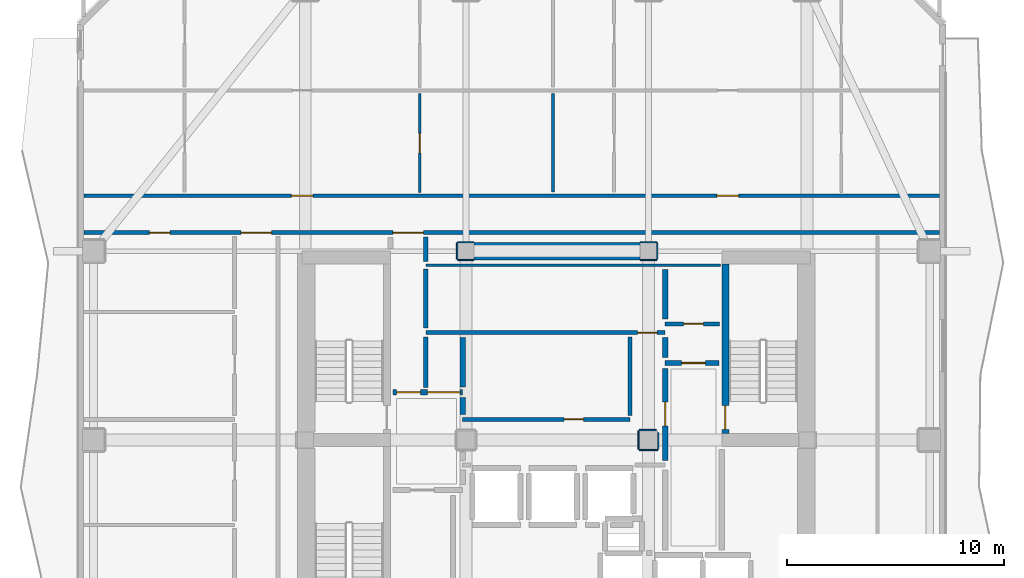
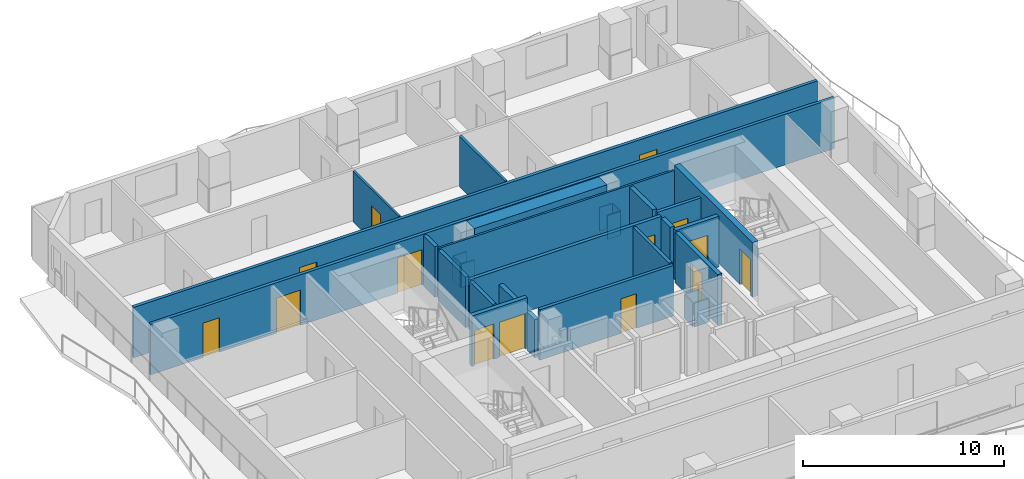
# One storey, part 4 of 10: 31 walls, 14 doors, 14 openings.
"""IFC4 building model written with IfcOpenShell, lengths in metres."""

from ifc_helpers import new_model, si_unit, direction, frame, frame_2d, origin, place, context, subcontext, project, spatial, rectangle, extrude, material, layer, layer_set, type_object, element, fill, save


model = new_model("IFC4")

# Units and contexts
model_context = context("Model", 3, precision=1e-05, world=origin(), true_north=direction((0.0, 1.0)))
body_context = subcontext(model_context, "Body", "Model", "MODEL_VIEW")
ifc_project = project(units=[si_unit("LENGTHUNIT", "METRE"), si_unit("AREAUNIT", "SQUARE_METRE"), si_unit("VOLUMEUNIT", "CUBIC_METRE"), si_unit("PLANEANGLEUNIT", "RADIAN"), si_unit("MASSUNIT", "GRAM", prefix="KILO")], contexts=[model_context])

# Site, building, storey
site_placement = place(None, origin())
site = spatial("IfcSite", under=ifc_project, at=site_placement, CompositionType="ELEMENT")
building_placement = place(site_placement, origin())
building = spatial("IfcBuilding", under=site, at=building_placement, Name="Solanera Arch Residences", CompositionType="ELEMENT")
storey_placement = place(building_placement, frame((0.0, 0.0, 176.8798828125)))
storey = spatial("IfcBuildingStorey", under=building, at=storey_placement, Name="L51", CompositionType="ELEMENT", Elevation=176.8798828125)

# Walls
ifc_material_1 = material(Name="Fire-Rated Gypsum Stud Partition", Category="gypsum")
ifc_layer_1 = layer(ifc_material_1, 0.06005859375)
ifc_layer_set_1 = layer_set([ifc_layer_1], Name="Fire-Rated Gypsum Stud Partition")
wall_type_1 = type_object("IfcWallType", Name="Column Acoustic Furring Wall 60", PredefinedType="PARTITIONING", material=ifc_layer_set_1)
for number, where, z_axis, x_axis, name in (
    (1, (20.425048828125, 38.992919921875, 0.0), (0.0, 0.0, 1.0), (1.0, 0.0, 0.0), "L51 Column Furring 3S"),
    (2, (20.425048828125, 39.806884765625, 0.0), (0.0, 0.0, 1.0), (1.0, 0.0, 0.0), "L51 Column Furring 3N"),
):
    element("IfcWall", number, at=place(storey_placement, frame(where, z_axis=z_axis, x_axis=x_axis)), inside=storey, type_object=wall_type_1, Name=name, PredefinedType="PARTITIONING", context=body_context, shape_type="SweptSolid", body=[
        extrude(rectangle(XDim=0.741943359375, YDim=0.06005859375, at=frame_2d((0.37109375, 0.0))), origin(), (0.0, 0.0, 1.0), 1.4501953125),
    ])
wall_1_placement = place(storey_placement, frame((20.39306640625, 39.02490234375, 0.0), z_axis=(0.0, 0.0, 1.0), x_axis=(0.0, 1.0, 0.0)))
element("IfcWall", 3, at=wall_1_placement, inside=storey, type_object=wall_type_1, Name="L51 Column Furring 3W", PredefinedType="PARTITIONING", context=body_context, shape_type="SweptSolid", body=[
    extrude(rectangle(XDim=0.75, YDim=0.06005859375, at=frame_2d((0.375, 0.0))), origin(), (0.0, 0.0, 1.0), 1.4501953125),
])
for number, where, z_axis, x_axis, name in (
    (4, (28.8330078125, 38.992919921875, 0.0), (0.0, 0.0, 1.0), (1.0, 0.0, 0.0), "L51 Column Furring 4S"),
    (5, (28.8330078125, 39.806884765625, 0.0), (0.0, 0.0, 1.0), (1.0, 0.0, 0.0), "L51 Column Furring 4N"),
):
    element("IfcWall", number, at=place(storey_placement, frame(where, z_axis=z_axis, x_axis=x_axis)), inside=storey, type_object=wall_type_1, Name=name, PredefinedType="PARTITIONING", context=body_context, shape_type="SweptSolid", body=[
        extrude(rectangle(XDim=0.741943359375, YDim=0.06005859375, at=frame_2d((0.37109375, 0.0))), origin(), (0.0, 0.0, 1.0), 1.4501953125),
    ])
wall_2_placement = place(storey_placement, frame((29.60693359375, 39.02490234375, 0.0), z_axis=(0.0, 0.0, 1.0), x_axis=(0.0, 1.0, 0.0)))
element("IfcWall", 6, at=wall_2_placement, inside=storey, type_object=wall_type_1, Name="L51 Column Furring 4E", PredefinedType="PARTITIONING", context=body_context, shape_type="SweptSolid", body=[
    extrude(rectangle(XDim=0.75, YDim=0.06005859375, at=frame_2d((0.375, 0.0))), origin(), (0.0, 0.0, 1.0), 1.4501953125),
])
wall_3_placement = place(storey_placement, frame((28.77490234375, 30.242919921875, 0.0), z_axis=(0.0, 0.0, 1.0), x_axis=(1.0, 0.0, 0.0)))
element("IfcWall", 7, at=wall_3_placement, inside=storey, type_object=wall_type_1, Name="L51 Column Furring 8S", PredefinedType="PARTITIONING", context=body_context, shape_type="SweptSolid", body=[
    extrude(rectangle(XDim=0.85009765625, YDim=0.06005859375, at=frame_2d((0.425048828125, 0.0))), origin(), (0.0, 0.0, 1.0), 1.4501953125),
])
wall_4_placement = place(storey_placement, frame((28.77490234375, 31.156982421875, 0.0), z_axis=(0.0, 0.0, 1.0), x_axis=(1.0, 0.0, 0.0)))
element("IfcWall", 8, at=wall_4_placement, inside=storey, type_object=wall_type_1, Name="L51 Column Furring 8N", PredefinedType="PARTITIONING", context=body_context, shape_type="SweptSolid", body=[
    extrude(rectangle(XDim=0.794189453125, YDim=0.06005859375, at=frame_2d((0.39697265625, 0.0))), origin(), (0.0, 0.0, 1.0), 1.4501953125),
])
wall_5_placement = place(storey_placement, frame((28.742919921875, 30.27490234375, 0.0), z_axis=(0.0, 0.0, 1.0), x_axis=(0.0, 1.0, 0.0)))
element("IfcWall", 9, at=wall_5_placement, inside=storey, type_object=wall_type_1, Name="L51 Column Furring 8W", PredefinedType="PARTITIONING", context=body_context, shape_type="SweptSolid", body=[
    extrude(rectangle(XDim=0.85009765625, YDim=0.06005859375, at=frame_2d((0.425048828125, 0.0))), origin(), (0.0, 0.0, 1.0), 1.4501953125),
])
wall_6_placement = place(storey_placement, frame((29.656982421875, 30.27490234375, 0.0), z_axis=(0.0, 0.0, 1.0), x_axis=(0.0, 1.0, 0.0)))
element("IfcWall", 10, at=wall_6_placement, inside=storey, type_object=wall_type_1, Name="L51 Column Furring 8E", PredefinedType="PARTITIONING", context=body_context, shape_type="SweptSolid", body=[
    extrude(rectangle(XDim=0.757080078125, YDim=0.06005859375, at=frame_2d((0.37841796875, 0.0))), origin(), (0.0, 0.0, 1.0), 1.4501953125),
])

# Wall, opening, door
ifc_material_2 = material(Name="Concrete C40/50 (f'c = 45 MPa)", Category="concrete")
ifc_layer_2 = layer(ifc_material_2, 0.320068359375)
ifc_layer_set_2 = layer_set([ifc_layer_2], Name="Concrete C40/50 (f'c = 45 MPa)")
wall_type_2 = type_object("IfcWallType", Name="Core Shear Wall CW-320", PredefinedType="SHEAR", material=ifc_layer_set_2)
wall_7_placement = place(storey_placement, frame((32.739990234375, 31.0, 0.0), z_axis=(0.0, 0.0, 1.0), x_axis=(0.0, 1.0, 0.0)))
wall_7 = element("IfcWall", 11, at=wall_7_placement, inside=storey, type_object=wall_type_2, Name="L51 Stair ST-T2 West Shear Wall", PredefinedType="SHEAR", context=body_context, shape_type="SweptSolid", body=[
    extrude(rectangle(XDim=7.800048828125, YDim=0.320068359375, at=frame_2d((3.89990234375, 0.0))), origin(), (0.0, 0.0, 1.0), 3.320068359375),
])
opening_1_placement = place(wall_7_placement, frame((0.18994140625, 0.0, 0.0)))
opening_1 = element("IfcOpeningElement", 12, at=opening_1_placement, cuts=wall_7, Name="Opening DF-01", PredefinedType="OPENING", context=body_context, shape_type="SweptSolid", body=[
    extrude(rectangle(XDim=1.10009765625, YDim=2.14990234375, at=frame_2d((0.550048828125, 1.074951171875))), frame((0.0, 0.169921875, 0.0), z_axis=(0.0, -1.0, 0.0), x_axis=(1.0, 0.0, 0.0)), (0.0, 0.0, 1.0), 0.3401),
])
ifc_material_3 = material(Name="Fire-Rated Architectural Hardwood", Category="wood")
door_type_1 = type_object("IfcDoorType", Name="Stair Exit Fire Door DF-01", OperationType="NOTDEFINED", PredefinedType="DOOR", material=ifc_material_3)
door_1_placement = place(opening_1_placement, origin())
door_1 = element("IfcDoor", 13, at=door_1_placement, inside=storey, type_object=door_type_1, Name="DR-L51-STAIR-ST-T2", OperationType="SINGLE_SWING_RIGHT", OverallHeight=2.14990234375, OverallWidth=1.10009765625, PredefinedType="DOOR", context=body_context, shape_type="SweptSolid", body=[
    extrude(rectangle(XDim=1.10009765625, YDim=2.14990234375, at=frame_2d((0.550048828125, 1.074951171875))), frame((0.0, 0.02490234375, 0.0), z_axis=(0.0, -1.0, 0.0), x_axis=(1.0, 0.0, 0.0)), (0.0, 0.0, 1.0), 0.050048828125),
])
fill(opening_1, door_1)

# Wall
ifc_material_4 = material(Name="Concrete C40/50 (f'c = 45 MPa)", Category="concrete")
ifc_layer_3 = layer(ifc_material_4, 0.800048828125)
ifc_layer_set_3 = layer_set([ifc_layer_3], Name="Concrete C40/50 (f'c = 45 MPa)")
wall_type_3 = type_object("IfcWallType", Name="Core Shear Wall CW-800", PredefinedType="SHEAR", material=ifc_layer_set_3)
wall_8_placement = place(storey_placement, frame((21.179931640625, 39.39990234375, 0.0), z_axis=(0.0, 0.0, 1.0), x_axis=(1.0, 0.0, 0.0)))
element("IfcWall", 14, at=wall_8_placement, inside=storey, type_object=wall_type_3, Name="L51 Central North Core Shear Wall", PredefinedType="SHEAR", context=body_context, shape_type="SweptSolid", body=[
    extrude(rectangle(XDim=7.64013671875, YDim=0.800048828125, at=frame_2d((3.820068359375, 0.0))), origin(), (0.0, 0.0, 1.0), 3.320068359375),
])

# Wall, opening, door
ifc_material_5 = material(Name="Autoclaved Aerated Concrete Blockwork", Category="masonry")
ifc_layer_4 = layer(ifc_material_5, 0.179931640625)
ifc_layer_set_4 = layer_set([ifc_layer_4], Name="Autoclaved Aerated Concrete Blockwork")
wall_type_4 = type_object("IfcWallType", Name="Corridor Fire Partition 180", PredefinedType="PARTITIONING", material=ifc_layer_set_4)
wall_9_placement = place(storey_placement, frame((20.64990234375, 31.64990234375, 0.0), z_axis=(0.0, 0.0, 1.0), x_axis=(1.0, 0.0, 0.0)))
wall_9 = element("IfcWall", 15, at=wall_9_placement, inside=storey, type_object=wall_type_4, Name="L51 Interior Partition H11", PredefinedType="PARTITIONING", context=body_context, shape_type="SweptSolid", body=[
    extrude(rectangle(XDim=7.7001953125, YDim=0.179931640625, at=frame_2d((3.85009765625, 0.0))), origin(), (0.0, 0.0, 1.0), 3.080078125),
])
opening_2_placement = place(wall_9_placement, frame((4.673095703125, 0.0, 0.0)))
opening_2 = element("IfcOpeningElement", 16, at=opening_2_placement, cuts=wall_9, Name="Opening DI-02", PredefinedType="OPENING", context=body_context, shape_type="SweptSolid", body=[
    extrude(rectangle(XDim=0.89990234375, YDim=2.10009765625, at=frame_2d((0.449951171875, 1.050048828125))), frame((0.0, 0.10009765625, 0.0), z_axis=(0.0, -1.0, 0.0), x_axis=(1.0, 0.0, 0.0)), (0.0, 0.0, 1.0), 0.1999),
])
ifc_material_6 = material(Name="Fire-Rated Architectural Hardwood", Category="wood")
door_type_2 = type_object("IfcDoorType", Name="Suite Room Swing Door DI-02", OperationType="NOTDEFINED", PredefinedType="DOOR", material=ifc_material_6)
door_2_placement = place(opening_2_placement, origin())
door_2 = element("IfcDoor", 17, at=door_2_placement, inside=storey, type_object=door_type_2, Name="DR-L51-IN-016", OperationType="SINGLE_SWING_RIGHT", OverallHeight=2.10009765625, OverallWidth=0.89990234375, PredefinedType="DOOR", context=body_context, shape_type="SweptSolid", body=[
    extrude(rectangle(XDim=0.89990234375, YDim=2.10009765625, at=frame_2d((0.449951171875, 1.050048828125))), frame((0.0, 0.02490234375, 0.0), z_axis=(0.0, -1.0, 0.0), x_axis=(1.0, 0.0, 0.0)), (0.0, 0.0, 1.0), 0.050048828125),
])
fill(opening_2, door_2)

wall_10_placement = place(storey_placement, frame((29.97509765625, 36.050048828125, 0.0), z_axis=(0.0, 0.0, 1.0), x_axis=(1.0, 0.0, 0.0)))
wall_10 = element("IfcWall", 18, at=wall_10_placement, inside=storey, type_object=wall_type_4, Name="L51 Interior Partition H12", PredefinedType="PARTITIONING", context=body_context, shape_type="SweptSolid", body=[
    extrude(rectangle(XDim=2.5048828125, YDim=0.179931640625, at=frame_2d((1.25244140625, 0.0))), origin(), (0.0, 0.0, 1.0), 3.080078125),
])
opening_3_placement = place(wall_10_placement, frame((0.85205078125, 0.0, 0.0)))
opening_3 = element("IfcOpeningElement", 19, at=opening_3_placement, cuts=wall_10, Name="Opening DI-02", PredefinedType="OPENING", context=body_context, shape_type="SweptSolid", body=[
    extrude(rectangle(XDim=0.89990234375, YDim=2.10009765625, at=frame_2d((0.449951171875, 1.050048828125))), frame((0.0, 0.10009765625, 0.0), z_axis=(0.0, -1.0, 0.0), x_axis=(1.0, 0.0, 0.0)), (0.0, 0.0, 1.0), 0.1999),
])
door_3_placement = place(opening_3_placement, origin())
door_3 = element("IfcDoor", 20, at=door_3_placement, inside=storey, type_object=door_type_2, Name="DR-L51-IN-014", OperationType="SINGLE_SWING_RIGHT", OverallHeight=2.10009765625, OverallWidth=0.89990234375, PredefinedType="DOOR", context=body_context, shape_type="SweptSolid", body=[
    extrude(rectangle(XDim=0.89990234375, YDim=2.10009765625, at=frame_2d((0.449951171875, 1.050048828125))), frame((0.0, 0.02490234375, 0.0), z_axis=(0.0, -1.0, 0.0), x_axis=(1.0, 0.0, 0.0)), (0.0, 0.0, 1.0), 0.050048828125),
])
fill(opening_3, door_3)

# Wall, openings, doors
wall_11_placement = place(storey_placement, frame((3.20703125, 40.25, 0.0), z_axis=(0.0, 0.0, 1.0), x_axis=(1.0, 0.0, 0.0)))
wall_11 = element("IfcWall", 21, at=wall_11_placement, inside=storey, type_object=wall_type_4, Name="L51 Interior Partition H13", PredefinedType="PARTITIONING", context=body_context, shape_type="SweptSolid", body=[
    extrude(rectangle(XDim=39.385986328125, YDim=0.179931640625, at=frame_2d((19.69287109375, 0.0))), origin(), (0.0, 0.0, 1.0), 3.080078125),
])
opening_4_placement = place(wall_11_placement, frame((14.22802734375, 0.0, 0.0)))
opening_4 = element("IfcOpeningElement", 22, at=opening_4_placement, cuts=wall_11, Name="Opening DF-03", PredefinedType="OPENING", context=body_context, shape_type="SweptSolid", body=[
    extrude(rectangle(XDim=1.39990234375, YDim=2.14990234375, at=frame_2d((0.699951171875, 1.074951171875))), frame((0.0, 0.10009765625, 0.0), z_axis=(0.0, -1.0, 0.0), x_axis=(1.0, 0.0, 0.0)), (0.0, 0.0, 1.0), 0.1999),
])
opening_5_placement = place(wall_11_placement, frame((7.242919921875, 0.0, 0.0)))
opening_5 = element("IfcOpeningElement", 23, at=opening_5_placement, cuts=wall_11, Name="Opening DF-03", PredefinedType="OPENING", context=body_context, shape_type="SweptSolid", body=[
    extrude(rectangle(XDim=1.39990234375, YDim=2.14990234375, at=frame_2d((0.699951171875, 1.074951171875))), frame((0.0, 0.10009765625, 0.0), z_axis=(0.0, -1.0, 0.0), x_axis=(1.0, 0.0, 0.0)), (0.0, 0.0, 1.0), 0.1999),
])
opening_6_placement = place(wall_11_placement, frame((3.01708984375, 0.0, 0.0)))
opening_6 = element("IfcOpeningElement", 24, at=opening_6_placement, cuts=wall_11, Name="Opening DI-04", PredefinedType="OPENING", context=body_context, shape_type="SweptSolid", body=[
    extrude(rectangle(XDim=0.949951171875, YDim=2.10009765625, at=frame_2d((0.47509765625, 1.050048828125))), frame((0.0, 0.10009765625, 0.0), z_axis=(0.0, -1.0, 0.0), x_axis=(1.0, 0.0, 0.0)), (0.0, 0.0, 1.0), 0.1999),
])
ifc_material_7 = material(Name="Fire-Rated Architectural Hardwood", Category="wood")
door_type_3 = type_object("IfcDoorType", Name="Accessible Restroom Door DI-04", OperationType="NOTDEFINED", PredefinedType="DOOR", material=ifc_material_7)
door_4_placement = place(opening_6_placement, origin())
door_4 = element("IfcDoor", 25, at=door_4_placement, inside=storey, type_object=door_type_3, Name="DR-L51-IN-021", OperationType="SINGLE_SWING_LEFT", OverallHeight=2.10009765625, OverallWidth=0.949951171875, PredefinedType="DOOR", context=body_context, shape_type="SweptSolid", body=[
    extrude(rectangle(XDim=0.949951171875, YDim=2.10009765625, at=frame_2d((0.47509765625, 1.050048828125))), frame((0.0, 0.02490234375, 0.0), z_axis=(0.0, -1.0, 0.0), x_axis=(1.0, 0.0, 0.0)), (0.0, 0.0, 1.0), 0.050048828125),
])
fill(opening_6, door_4)
ifc_material_8 = material(Name="Fire-Rated Architectural Hardwood", Category="wood")
door_type_4 = type_object("IfcDoorType", Name="Corridor Smoke Door DF-03", OperationType="NOTDEFINED", PredefinedType="DOOR", material=ifc_material_8)
door_5_placement = place(opening_4_placement, origin())
door_5 = element("IfcDoor", 26, at=door_5_placement, inside=storey, type_object=door_type_4, Name="DR-L51-IN-009", OperationType="SINGLE_SWING_LEFT", OverallHeight=2.14990234375, OverallWidth=1.39990234375, PredefinedType="DOOR", context=body_context, shape_type="SweptSolid", body=[
    extrude(rectangle(XDim=1.39990234375, YDim=2.14990234375, at=frame_2d((0.699951171875, 1.074951171875))), frame((0.0, 0.02490234375, 0.0), z_axis=(0.0, -1.0, 0.0), x_axis=(1.0, 0.0, 0.0)), (0.0, 0.0, 1.0), 0.050048828125),
])
fill(opening_4, door_5)
door_6_placement = place(opening_5_placement, origin())
door_6 = element("IfcDoor", 27, at=door_6_placement, inside=storey, type_object=door_type_4, Name="DR-L51-IN-012", OperationType="SINGLE_SWING_RIGHT", OverallHeight=2.14990234375, OverallWidth=1.39990234375, PredefinedType="DOOR", context=body_context, shape_type="SweptSolid", body=[
    extrude(rectangle(XDim=1.39990234375, YDim=2.14990234375, at=frame_2d((0.699951171875, 1.074951171875))), frame((0.0, 0.02490234375, 0.0), z_axis=(0.0, -1.0, 0.0), x_axis=(1.0, 0.0, 0.0)), (0.0, 0.0, 1.0), 0.050048828125),
])
fill(opening_5, door_6)

wall_12_placement = place(storey_placement, frame((3.20703125, 41.949951171875, 0.0), z_axis=(0.0, 0.0, 1.0), x_axis=(1.0, 0.0, 0.0)))
wall_12 = element("IfcWall", 28, at=wall_12_placement, inside=storey, type_object=wall_type_4, Name="L51 Interior Partition H14", PredefinedType="PARTITIONING", context=body_context, shape_type="SweptSolid", body=[
    extrude(rectangle(XDim=39.385986328125, YDim=0.179931640625, at=frame_2d((19.69287109375, 0.0))), origin(), (0.0, 0.0, 1.0), 3.080078125),
])
opening_7_placement = place(wall_12_placement, frame((9.550048828125, 0.0, 0.0)))
opening_7 = element("IfcOpeningElement", 29, at=opening_7_placement, cuts=wall_12, Name="Opening DI-01", PredefinedType="OPENING", context=body_context, shape_type="SweptSolid", body=[
    extrude(rectangle(XDim=1.0, YDim=2.14990234375, at=frame_2d((0.5, 1.074951171875))), frame((0.0, 0.10009765625, 0.0), z_axis=(0.0, -1.0, 0.0), x_axis=(1.0, 0.0, 0.0)), (0.0, 0.0, 1.0), 0.1999),
])
opening_8_placement = place(wall_12_placement, frame((29.14306640625, 0.0, 0.0)))
opening_8 = element("IfcOpeningElement", 30, at=opening_8_placement, cuts=wall_12, Name="Opening DI-01", PredefinedType="OPENING", context=body_context, shape_type="SweptSolid", body=[
    extrude(rectangle(XDim=1.0, YDim=2.14990234375, at=frame_2d((0.5, 1.074951171875))), frame((0.0, 0.10009765625, 0.0), z_axis=(0.0, -1.0, 0.0), x_axis=(1.0, 0.0, 0.0)), (0.0, 0.0, 1.0), 0.1999),
])
ifc_material_9 = material(Name="Fire-Rated Architectural Hardwood", Category="wood")
door_type_5 = type_object("IfcDoorType", Name="Unit Entrance Fire Door DI-01", OperationType="NOTDEFINED", PredefinedType="DOOR", material=ifc_material_9)
door_7_placement = place(opening_7_placement, origin())
door_7 = element("IfcDoor", 31, at=door_7_placement, inside=storey, type_object=door_type_5, Name="DR-L51-IN-023", OperationType="SINGLE_SWING_LEFT", OverallHeight=2.14990234375, OverallWidth=1.0, PredefinedType="DOOR", context=body_context, shape_type="SweptSolid", body=[
    extrude(rectangle(XDim=1.0, YDim=2.14990234375, at=frame_2d((0.5, 1.074951171875))), frame((0.0, 0.02490234375, 0.0), z_axis=(0.0, -1.0, 0.0), x_axis=(1.0, 0.0, 0.0)), (0.0, 0.0, 1.0), 0.050048828125),
])
fill(opening_7, door_7)
door_8_placement = place(opening_8_placement, origin())
door_8 = element("IfcDoor", 32, at=door_8_placement, inside=storey, type_object=door_type_5, Name="DR-L51-IN-029", OperationType="SINGLE_SWING_LEFT", OverallHeight=2.14990234375, OverallWidth=1.0, PredefinedType="DOOR", context=body_context, shape_type="SweptSolid", body=[
    extrude(rectangle(XDim=1.0, YDim=2.14990234375, at=frame_2d((0.5, 1.074951171875))), frame((0.0, 0.02490234375, 0.0), z_axis=(0.0, -1.0, 0.0), x_axis=(1.0, 0.0, 0.0)), (0.0, 0.0, 1.0), 0.050048828125),
])
fill(opening_8, door_8)

# Wall
wall_13_placement = place(storey_placement, frame((28.35009765625, 31.837890625, 0.0), z_axis=(0.0, 0.0, 1.0), x_axis=(0.0, 1.0, 0.0)))
element("IfcWall", 33, at=wall_13_placement, inside=storey, type_object=wall_type_4, Name="L51 Interior Partition V11", PredefinedType="PARTITIONING", context=body_context, shape_type="SweptSolid", body=[
    extrude(rectangle(XDim=3.614013671875, YDim=0.179931640625, at=frame_2d((1.80712890625, 0.0))), origin(), (0.0, 0.0, 1.0), 3.080078125),
])

# Wall, opening, door
ifc_material_10 = material(Name="Autoclaved Aerated Concrete Blockwork", Category="masonry")
ifc_layer_5 = layer(ifc_material_10, 0.199951171875)
ifc_layer_set_5 = layer_set([ifc_layer_5], Name="Autoclaved Aerated Concrete Blockwork")
wall_type_5 = type_object("IfcWallType", Name="Party Wall Acoustic 200", PredefinedType="PARTITIONING", material=ifc_layer_set_5)
wall_14_placement = place(storey_placement, frame((18.949951171875, 35.64990234375, 0.0), z_axis=(0.0, 0.0, 1.0), x_axis=(1.0, 0.0, 0.0)))
wall_14 = element("IfcWall", 34, at=wall_14_placement, inside=storey, type_object=wall_type_5, Name="L51 Interior Partition H6", PredefinedType="PARTITIONING", context=body_context, shape_type="SweptSolid", body=[
    extrude(rectangle(XDim=11.025146484375, YDim=0.199951171875, at=frame_2d((5.5126953125, 0.0))), origin(), (0.0, 0.0, 1.0), 3.080078125),
])
opening_9_placement = place(wall_14_placement, frame((9.7490234375, 0.0, 0.0)))
opening_9 = element("IfcOpeningElement", 35, at=opening_9_placement, cuts=wall_14, Name="Opening DI-02", PredefinedType="OPENING", context=body_context, shape_type="SweptSolid", body=[
    extrude(rectangle(XDim=0.89990234375, YDim=2.10009765625, at=frame_2d((0.449951171875, 1.050048828125))), frame((0.0, 0.110107421875, 0.0), z_axis=(0.0, -1.0, 0.0), x_axis=(1.0, 0.0, 0.0)), (0.0, 0.0, 1.0), 0.22),
])
door_9_placement = place(opening_9_placement, origin())
door_9 = element("IfcDoor", 36, at=door_9_placement, inside=storey, type_object=door_type_2, Name="DR-L51-IN-015", OperationType="SINGLE_SWING_LEFT", OverallHeight=2.10009765625, OverallWidth=0.89990234375, PredefinedType="DOOR", context=body_context, shape_type="SweptSolid", body=[
    extrude(rectangle(XDim=0.89990234375, YDim=2.10009765625, at=frame_2d((0.449951171875, 1.050048828125))), frame((0.0, 0.02490234375, 0.0), z_axis=(0.0, -1.0, 0.0), x_axis=(1.0, 0.0, 0.0)), (0.0, 0.0, 1.0), 0.050048828125),
])
fill(opening_9, door_9)

# Walls
wall_15_placement = place(storey_placement, frame((18.949951171875, 33.1279296875, 0.0), z_axis=(0.0, 0.0, 1.0), x_axis=(0.0, 1.0, 0.0)))
element("IfcWall", 37, at=wall_15_placement, inside=storey, type_object=wall_type_5, Name="L51 Interior Partition V6 1", PredefinedType="PARTITIONING", context=body_context, shape_type="SweptSolid", body=[
    extrude(rectangle(XDim=2.31396484375, YDim=0.199951171875, at=frame_2d((1.156982421875, 0.0))), origin(), (0.0, 0.0, 1.0), 3.080078125),
])
wall_16_placement = place(storey_placement, frame((18.949951171875, 35.85791015625, 0.0), z_axis=(0.0, 0.0, 1.0), x_axis=(0.0, 1.0, 0.0)))
element("IfcWall", 38, at=wall_16_placement, inside=storey, type_object=wall_type_5, Name="L51 Interior Partition V6 2", PredefinedType="PARTITIONING", context=body_context, shape_type="SweptSolid", body=[
    extrude(rectangle(XDim=2.72412109375, YDim=0.199951171875, at=frame_2d((1.362060546875, 0.0))), origin(), (0.0, 0.0, 1.0), 3.080078125),
])
wall_17_placement = place(storey_placement, frame((18.949951171875, 38.91796875, 0.0), z_axis=(0.0, 0.0, 1.0), x_axis=(0.0, 1.0, 0.0)))
element("IfcWall", 39, at=wall_17_placement, inside=storey, type_object=wall_type_5, Name="L51 Interior Partition V6 3", PredefinedType="PARTITIONING", context=body_context, shape_type="SweptSolid", body=[
    extrude(rectangle(XDim=1.134033203125, YDim=0.199951171875, at=frame_2d((0.56689453125, 0.0))), origin(), (0.0, 0.0, 1.0), 3.080078125),
])

# Wall, openings, doors
ifc_material_11 = material(Name="Autoclaved Aerated Concrete Blockwork", Category="masonry")
ifc_layer_6 = layer(ifc_material_11, 0.239990234375)
ifc_layer_set_6 = layer_set([ifc_layer_6], Name="Autoclaved Aerated Concrete Blockwork")
wall_type_6 = type_object("IfcWallType", Name="Shaft Wall Fire-Rated 240", PredefinedType="PARTITIONING", material=ifc_layer_set_6)
wall_18_placement = place(storey_placement, frame((17.449951171875, 32.89990234375, 0.0), z_axis=(0.0, 0.0, 1.0), x_axis=(1.0, 0.0, 0.0)))
wall_18 = element("IfcWall", 40, at=wall_18_placement, inside=storey, type_object=wall_type_6, Name="L51 Interior Partition H4", PredefinedType="PARTITIONING", context=body_context, shape_type="SweptSolid", body=[
    extrude(rectangle(XDim=3.199951171875, YDim=0.239990234375, at=frame_2d((1.60009765625, 0.0))), origin(), (0.0, 0.0, 1.0), 3.080078125),
])
opening_10_placement = place(wall_18_placement, frame((0.158935546875, 0.0, 0.0)))
opening_10 = element("IfcOpeningElement", 41, at=opening_10_placement, cuts=wall_18, Name="Opening DF-02", PredefinedType="OPENING", context=body_context, shape_type="SweptSolid", body=[
    extrude(rectangle(XDim=1.10009765625, YDim=2.14990234375, at=frame_2d((0.550048828125, 1.074951171875))), frame((0.0, 0.1298828125, 0.0), z_axis=(0.0, -1.0, 0.0), x_axis=(1.0, 0.0, 0.0)), (0.0, 0.0, 1.0), 0.26),
])
opening_11_placement = place(wall_18_placement, frame((1.575927734375, 0.0, 0.0)))
opening_11 = element("IfcOpeningElement", 42, at=opening_11_placement, cuts=wall_18, Name="Opening DP-01", PredefinedType="OPENING", context=body_context, shape_type="SweptSolid", body=[
    extrude(rectangle(XDim=1.5, YDim=2.14990234375, at=frame_2d((0.75, 1.074951171875))), frame((0.0, 0.1298828125, 0.0), z_axis=(0.0, -1.0, 0.0), x_axis=(1.0, 0.0, 0.0)), (0.0, 0.0, 1.0), 0.26),
])
ifc_material_12 = material(Name="Fire-Rated Architectural Hardwood", Category="wood")
door_type_6 = type_object("IfcDoorType", Name="Firefighting Lobby Fire Door DF-02", OperationType="NOTDEFINED", PredefinedType="DOOR", material=ifc_material_12)
door_10_placement = place(opening_10_placement, origin())
door_10 = element("IfcDoor", 43, at=door_10_placement, inside=storey, type_object=door_type_6, Name="DR-L51-IN-005", OperationType="SINGLE_SWING_LEFT", OverallHeight=2.14990234375, OverallWidth=1.10009765625, PredefinedType="DOOR", context=body_context, shape_type="SweptSolid", body=[
    extrude(rectangle(XDim=1.10009765625, YDim=2.14990234375, at=frame_2d((0.550048828125, 1.074951171875))), frame((0.0, 0.02490234375, 0.0), z_axis=(0.0, -1.0, 0.0), x_axis=(1.0, 0.0, 0.0)), (0.0, 0.0, 1.0), 0.050048828125),
])
fill(opening_10, door_10)
ifc_material_13 = material(Name="Fire-Rated Architectural Hardwood", Category="wood")
door_type_7 = type_object("IfcDoorType", Name="Plant Double Fire Door DP-01", OperationType="NOTDEFINED", PredefinedType="DOOR", material=ifc_material_13)
door_11_placement = place(opening_11_placement, origin())
door_11 = element("IfcDoor", 44, at=door_11_placement, inside=storey, type_object=door_type_7, Name="DR-L51-IN-013", OperationType="SINGLE_SWING_LEFT", OverallHeight=2.14990234375, OverallWidth=1.5, PredefinedType="DOOR", context=body_context, shape_type="SweptSolid", body=[
    extrude(rectangle(XDim=1.5, YDim=2.14990234375, at=frame_2d((0.75, 1.074951171875))), frame((0.0, 0.02490234375, 0.0), z_axis=(0.0, -1.0, 0.0), x_axis=(1.0, 0.0, 0.0)), (0.0, 0.0, 1.0), 0.050048828125),
])
fill(opening_11, door_11)

# Wall, opening, door
wall_19_placement = place(storey_placement, frame((29.97509765625, 34.25, 0.0), z_axis=(0.0, 0.0, 1.0), x_axis=(1.0, 0.0, 0.0)))
wall_19 = element("IfcWall", 45, at=wall_19_placement, inside=storey, type_object=wall_type_6, Name="L51 Interior Partition H5", PredefinedType="PARTITIONING", context=body_context, shape_type="SweptSolid", body=[
    extrude(rectangle(XDim=2.474853515625, YDim=0.239990234375, at=frame_2d((1.2373046875, 0.0))), origin(), (0.0, 0.0, 1.0), 3.080078125),
])
opening_12_placement = place(wall_19_placement, frame((0.751953125, 0.0, 0.0)))
opening_12 = element("IfcOpeningElement", 46, at=opening_12_placement, cuts=wall_19, Name="Opening DF-02", PredefinedType="OPENING", context=body_context, shape_type="SweptSolid", body=[
    extrude(rectangle(XDim=1.10009765625, YDim=2.14990234375, at=frame_2d((0.550048828125, 1.074951171875))), frame((0.0, 0.1298828125, 0.0), z_axis=(0.0, -1.0, 0.0), x_axis=(1.0, 0.0, 0.0)), (0.0, 0.0, 1.0), 0.26),
])
door_12_placement = place(opening_12_placement, origin())
door_12 = element("IfcDoor", 47, at=door_12_placement, inside=storey, type_object=door_type_6, Name="DR-L51-IN-007", OperationType="SINGLE_SWING_LEFT", OverallHeight=2.14990234375, OverallWidth=1.10009765625, PredefinedType="DOOR", context=body_context, shape_type="SweptSolid", body=[
    extrude(rectangle(XDim=1.10009765625, YDim=2.14990234375, at=frame_2d((0.550048828125, 1.074951171875))), frame((0.0, 0.02490234375, 0.0), z_axis=(0.0, -1.0, 0.0), x_axis=(1.0, 0.0, 0.0)), (0.0, 0.0, 1.0), 0.050048828125),
])
fill(opening_12, door_12)

# Walls
wall_20_placement = place(storey_placement, frame((20.64990234375, 31.867919921875, 0.0), z_axis=(0.0, 0.0, 1.0), x_axis=(0.0, 1.0, 0.0)))
element("IfcWall", 48, at=wall_20_placement, inside=storey, type_object=wall_type_6, Name="L51 Interior Partition V3 3", PredefinedType="PARTITIONING", context=body_context, shape_type="SweptSolid", body=[
    extrude(rectangle(XDim=0.7841796875, YDim=0.239990234375, at=frame_2d((0.39208984375, 0.0))), origin(), (0.0, 0.0, 1.0), 2.315185546875),
])
wall_21_placement = place(storey_placement, frame((20.64990234375, 33.14794921875, 0.0), z_axis=(0.0, 0.0, 1.0), x_axis=(0.0, 1.0, 0.0)))
element("IfcWall", 49, at=wall_21_placement, inside=storey, type_object=wall_type_6, Name="L51 Interior Partition V3 4", PredefinedType="PARTITIONING", context=body_context, shape_type="SweptSolid", body=[
    extrude(rectangle(XDim=2.274169921875, YDim=0.239990234375, at=frame_2d((1.13720703125, 0.0))), origin(), (0.0, 0.0, 1.0), 2.315185546875),
])

# Wall, opening, door
wall_22_placement = place(storey_placement, frame((29.97509765625, 29.76806640625, 0.0), z_axis=(0.0, 0.0, 1.0), x_axis=(0.0, 1.0, 0.0)))
wall_22 = element("IfcWall", 50, at=wall_22_placement, inside=storey, type_object=wall_type_6, Name="L51 Interior Partition V4 2", PredefinedType="PARTITIONING", context=body_context, shape_type="SweptSolid", body=[
    extrude(rectangle(XDim=4.23388671875, YDim=0.239990234375, at=frame_2d((2.116943359375, 0.0))), origin(), (0.0, 0.0, 1.0), 3.080078125),
])
opening_13_placement = place(wall_22_placement, frame((1.58203125, 0.0, 0.0)))
opening_13 = element("IfcOpeningElement", 51, at=opening_13_placement, cuts=wall_22, Name="Opening DF-02", PredefinedType="OPENING", context=body_context, shape_type="SweptSolid", body=[
    extrude(rectangle(XDim=1.10009765625, YDim=2.14990234375, at=frame_2d((0.550048828125, 1.074951171875))), frame((0.0, 0.1298828125, 0.0), z_axis=(0.0, -1.0, 0.0), x_axis=(1.0, 0.0, 0.0)), (0.0, 0.0, 1.0), 0.26),
])
door_13_placement = place(opening_13_placement, origin())
door_13 = element("IfcDoor", 52, at=door_13_placement, inside=storey, type_object=door_type_6, Name="DR-L51-IN-006", OperationType="SINGLE_SWING_RIGHT", OverallHeight=2.14990234375, OverallWidth=1.10009765625, PredefinedType="DOOR", context=body_context, shape_type="SweptSolid", body=[
    extrude(rectangle(XDim=1.10009765625, YDim=2.14990234375, at=frame_2d((0.550048828125, 1.074951171875))), frame((0.0, 0.02490234375, 0.0), z_axis=(0.0, -1.0, 0.0), x_axis=(1.0, 0.0, 0.0)), (0.0, 0.0, 1.0), 0.050048828125),
])
fill(opening_13, door_13)

# Walls
wall_23_placement = place(storey_placement, frame((29.97509765625, 34.498046875, 0.0), z_axis=(0.0, 0.0, 1.0), x_axis=(0.0, 1.0, 0.0)))
element("IfcWall", 53, at=wall_23_placement, inside=storey, type_object=wall_type_6, Name="L51 Interior Partition V4 3", PredefinedType="PARTITIONING", context=body_context, shape_type="SweptSolid", body=[
    extrude(rectangle(XDim=0.924072265625, YDim=0.239990234375, at=frame_2d((0.4619140625, 0.0))), origin(), (0.0, 0.0, 1.0), 3.080078125),
])
wall_24_placement = place(storey_placement, frame((29.97509765625, 36.26806640625, 0.0), z_axis=(0.0, 0.0, 1.0), x_axis=(0.0, 1.0, 0.0)))
element("IfcWall", 54, at=wall_24_placement, inside=storey, type_object=wall_type_6, Name="L51 Interior Partition V4 4", PredefinedType="PARTITIONING", context=body_context, shape_type="SweptSolid", body=[
    extrude(rectangle(XDim=2.2939453125, YDim=0.239990234375, at=frame_2d((1.14697265625, 0.0))), origin(), (0.0, 0.0, 1.0), 3.080078125),
])
ifc_material_14 = material(Name="Fire-Rated Gypsum Stud Partition", Category="gypsum")
ifc_layer_7 = layer(ifc_material_14, 0.1201171875)
ifc_layer_set_7 = layer_set([ifc_layer_7], Name="Fire-Rated Gypsum Stud Partition")
wall_type_7 = type_object("IfcWallType", Name="Unit Drywall Partition 120", PredefinedType="PARTITIONING", material=ifc_layer_set_7)
wall_25_placement = place(storey_placement, frame((18.949951171875, 38.75, 0.0), z_axis=(0.0, 0.0, 1.0), x_axis=(1.0, 0.0, 0.0)))
element("IfcWall", 55, at=wall_25_placement, inside=storey, type_object=wall_type_7, Name="L51 Interior Partition H18", PredefinedType="PARTITIONING", context=body_context, shape_type="SweptSolid", body=[
    extrude(rectangle(XDim=13.56005859375, YDim=0.1201171875, at=frame_2d((6.780029296875, 0.0))), origin(), (0.0, 0.0, 1.0), 3.080078125),
])

# Wall, opening, door
wall_26_placement = place(storey_placement, frame((18.669921875, 42.10791015625, 0.0), z_axis=(0.0, 0.0, 1.0), x_axis=(0.0, 1.0, 0.0)))
wall_26 = element("IfcWall", 56, at=wall_26_placement, inside=storey, type_object=wall_type_7, Name="L51 Interior Partition V16 1", PredefinedType="PARTITIONING", context=body_context, shape_type="SweptSolid", body=[
    extrude(rectangle(XDim=4.55419921875, YDim=0.1201171875, at=frame_2d((2.277099609375, 0.0))), origin(), (0.0, 0.0, 1.0), 3.080078125),
])
opening_14_placement = place(wall_26_placement, frame((1.81689453125, 0.0, 0.0)))
opening_14 = element("IfcOpeningElement", 57, at=opening_14_placement, cuts=wall_26, Name="Opening DI-02", PredefinedType="OPENING", context=body_context, shape_type="SweptSolid", body=[
    extrude(rectangle(XDim=0.89990234375, YDim=2.10009765625, at=frame_2d((0.449951171875, 1.050048828125))), frame((0.0, 0.070068359375, 0.0), z_axis=(0.0, -1.0, 0.0), x_axis=(1.0, 0.0, 0.0)), (0.0, 0.0, 1.0), 0.1401),
])
door_14_placement = place(opening_14_placement, origin())
door_14 = element("IfcDoor", 58, at=door_14_placement, inside=storey, type_object=door_type_2, Name="DR-L51-IN-027", OperationType="SINGLE_SWING_LEFT", OverallHeight=2.10009765625, OverallWidth=0.89990234375, PredefinedType="DOOR", context=body_context, shape_type="SweptSolid", body=[
    extrude(rectangle(XDim=0.89990234375, YDim=2.10009765625, at=frame_2d((0.449951171875, 1.050048828125))), frame((0.0, 0.02490234375, 0.0), z_axis=(0.0, -1.0, 0.0), x_axis=(1.0, 0.0, 0.0)), (0.0, 0.0, 1.0), 0.050048828125),
])
fill(opening_14, door_14)

# Wall
ifc_material_15 = material(Name="Autoclaved Aerated Concrete Blockwork", Category="masonry")
ifc_layer_8 = layer(ifc_material_15, 0.139892578125)
ifc_layer_set_8 = layer_set([ifc_layer_8], Name="Autoclaved Aerated Concrete Blockwork")
wall_type_8 = type_object("IfcWallType", Name="Wet-Room Partition 140", PredefinedType="PARTITIONING", material=ifc_layer_set_8)
wall_27_placement = place(storey_placement, frame((24.800048828125, 42.117919921875, 0.0), z_axis=(0.0, 0.0, 1.0), x_axis=(0.0, 1.0, 0.0)))
element("IfcWall", 59, at=wall_27_placement, inside=storey, type_object=wall_type_8, Name="L51 Interior Partition V14 1", PredefinedType="PARTITIONING", context=body_context, shape_type="SweptSolid", body=[
    extrude(rectangle(XDim=4.5341796875, YDim=0.139892578125, at=frame_2d((2.26708984375, 0.0))), origin(), (0.0, 0.0, 1.0), 3.080078125),
])

save(model, "model.ifc")
